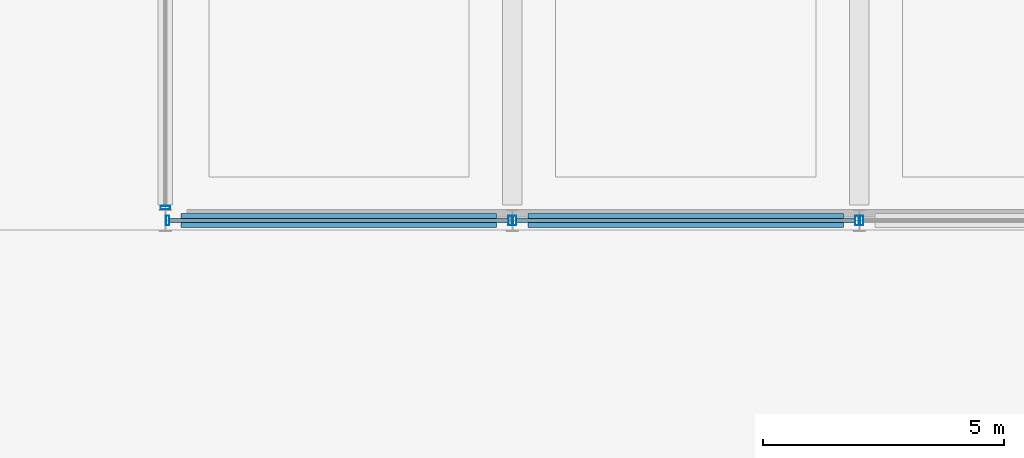
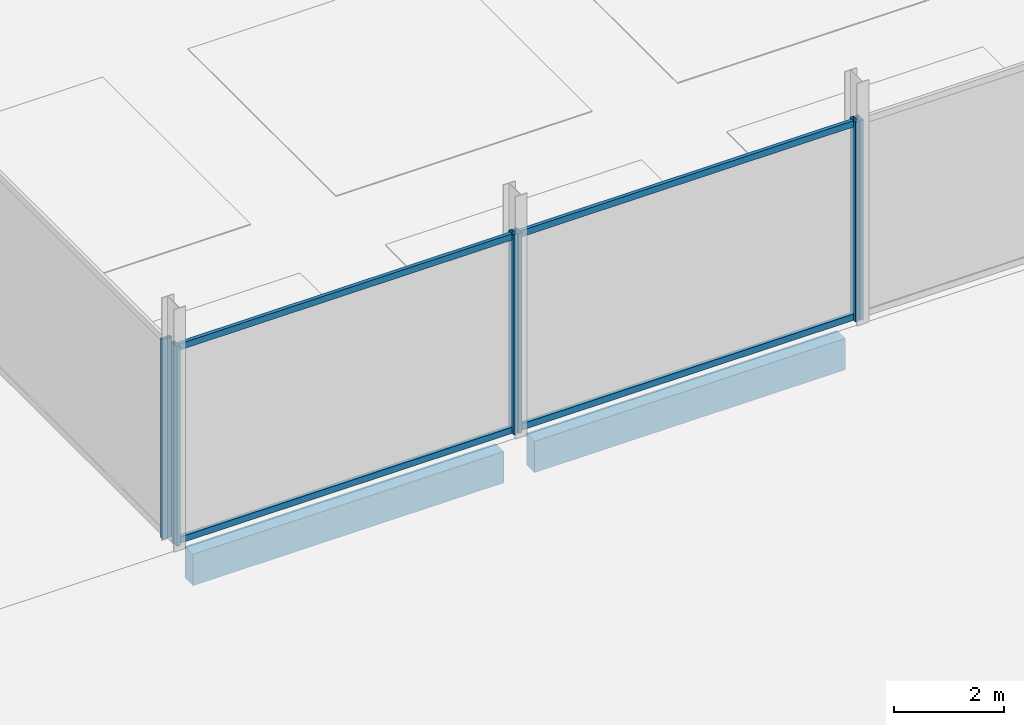
# One storey, part 14 of 90: 10 members, 2 beams, 4 elements without a shape of their own.
"""IFC4 building model written with IfcOpenShell, lengths in metres."""

from ifc_helpers import new_model, si_unit, direction, frame, origin, origin_2d, place, context, subcontext, project, spatial, rectangle, hollow_rectangle, extrude, material, layer, layer_set, material_profile, profile_set, type_object, element, aggregate, save


model = new_model("IFC4")

# Units and contexts
model_context = context("Model", 3, precision=1e-05, world=origin(), true_north=direction((0.0, 1.0)))
body_context = subcontext(model_context, "Body", "Model", "MODEL_VIEW")
ifc_project = project(units=[si_unit("LENGTHUNIT", "METRE"), si_unit("AREAUNIT", "SQUARE_METRE"), si_unit("VOLUMEUNIT", "CUBIC_METRE"), si_unit("PLANEANGLEUNIT", "RADIAN"), si_unit("MASSUNIT", "GRAM", prefix="KILO")], contexts=[model_context])

# Site, building, storey
site_placement = place(None, origin())
site = spatial("IfcSite", under=ifc_project, at=site_placement, CompositionType="ELEMENT")
building_placement = place(site_placement, origin())
building = spatial("IfcBuilding", under=site, at=building_placement, Name="Kangsadwip Square Police Headquarters", CompositionType="ELEMENT")
storey_placement = place(building_placement, origin())
storey = spatial("IfcBuildingStorey", under=building, at=storey_placement, Name="L00", CompositionType="ELEMENT", Elevation=0.0)

# Curtain wall, members
ifc_material_1 = material(Name="Thermally broken anodised aluminium AW-6063-T6", Category="aluminium")
ifc_layer_1 = layer(ifc_material_1, 0.159912109375)
ifc_layer_set_1 = layer_set([ifc_layer_1], Name="Thermally broken anodised aluminium AW-6063-T6")
curtain_wall_type_1 = type_object("IfcCurtainWallType", Name="CourtScreen7180x4450", PredefinedType="USERDEFINED", material=ifc_layer_set_1)
curtain_wall_1_placement = place(storey_placement, origin())
curtain_wall_1 = element("IfcCurtainWall", 1, at=curtain_wall_1_placement, inside=storey, type_object=curtain_wall_type_1, Name="Curtain Wall CW-L00-0432-0864", ObjectType="GLAZED_SCREEN", PredefinedType="USERDEFINED")
ifc_material_2 = material(Name="Thermally broken anodised aluminium AW-6063-T6", Category="aluminium")
ifc_material_profile_1 = material_profile(ifc_material_2, hollow_rectangle(XDim=0.074951171875, YDim=0.199951171875, WallThickness=0.0048828125, at=origin_2d()), Name="CWM 200X75X5")
ifc_profile_set_1 = profile_set([ifc_material_profile_1], Name="Thermally broken anodised aluminium AW-6063-T6")
member_type_1 = type_object("IfcMemberType", Name="CwMullion180x75", PredefinedType="MULLION", material=ifc_profile_set_1)
member_1_placement = place(storey_placement, frame((43.24755859375, 86.39990234375, 0.0), z_axis=(0.0, 0.0, 1.0), x_axis=(1.0, 0.0, 0.0)))
member_1 = element("IfcMember", 2, at=member_1_placement, type_object=member_type_1, Name="CW-02 mullion 1", PredefinedType="MULLION", context=body_context, shape_type="SweptSolid", body=[
    extrude(hollow_rectangle(XDim=0.074951171875, YDim=0.199951171875, WallThickness=0.0048828125, at=origin_2d()), origin(), (0.0, 0.0, 1.0), 4.449951171875),
])
member_2_placement = place(storey_placement, frame((50.3525390625, 86.39990234375, 0.0), z_axis=(0.0, 0.0, 1.0), x_axis=(1.0, 0.0, 0.0)))
member_2 = element("IfcMember", 3, at=member_2_placement, type_object=member_type_1, Name="CW-02 mullion 2", PredefinedType="MULLION", context=body_context, shape_type="SweptSolid", body=[
    extrude(hollow_rectangle(XDim=0.074951171875, YDim=0.199951171875, WallThickness=0.0048828125, at=origin_2d()), origin(), (0.0, 0.0, 1.0), 4.449951171875),
])

curtain_wall_2_placement = place(storey_placement, origin())
curtain_wall_2 = element("IfcCurtainWall", 4, at=curtain_wall_2_placement, inside=storey, type_object=curtain_wall_type_1, Name="Curtain Wall CW-L00-0504-0864", ObjectType="GLAZED_SCREEN", PredefinedType="USERDEFINED")
member_3_placement = place(storey_placement, frame((50.447509765625, 86.39990234375, 0.0), z_axis=(0.0, 0.0, 1.0), x_axis=(1.0, 0.0, 0.0)))
member_3 = element("IfcMember", 5, at=member_3_placement, type_object=member_type_1, Name="CW-02 mullion 1", PredefinedType="MULLION", context=body_context, shape_type="SweptSolid", body=[
    extrude(hollow_rectangle(XDim=0.074951171875, YDim=0.199951171875, WallThickness=0.0048828125, at=origin_2d()), origin(), (0.0, 0.0, 1.0), 4.449951171875),
])
member_4_placement = place(storey_placement, frame((57.552490234375, 86.39990234375, 0.0), z_axis=(0.0, 0.0, 1.0), x_axis=(1.0, 0.0, 0.0)))
member_4 = element("IfcMember", 6, at=member_4_placement, type_object=member_type_1, Name="CW-02 mullion 2", PredefinedType="MULLION", context=body_context, shape_type="SweptSolid", body=[
    extrude(hollow_rectangle(XDim=0.074951171875, YDim=0.199951171875, WallThickness=0.0048828125, at=origin_2d()), origin(), (0.0, 0.0, 1.0), 4.449951171875),
])

# Curtain wall, member
curtain_wall_3_placement = place(storey_placement, origin())
curtain_wall_3 = element("IfcCurtainWall", 7, at=curtain_wall_3_placement, inside=storey, type_object=curtain_wall_type_1, Name="Curtain Wall CW-L00-0576-0864", ObjectType="GLAZED_SCREEN", PredefinedType="USERDEFINED")
member_5_placement = place(storey_placement, frame((57.6474609375, 86.39990234375, 0.0), z_axis=(0.0, 0.0, 1.0), x_axis=(1.0, 0.0, 0.0)))
member_5 = element("IfcMember", 8, at=member_5_placement, type_object=member_type_1, Name="CW-02 mullion 1", PredefinedType="MULLION", context=body_context, shape_type="SweptSolid", body=[
    extrude(hollow_rectangle(XDim=0.074951171875, YDim=0.199951171875, WallThickness=0.0048828125, at=origin_2d()), origin(), (0.0, 0.0, 1.0), 4.449951171875),
])
aggregate(curtain_wall_3, [member_5])

ifc_material_3 = material(Name="Thermally broken anodised aluminium AW-6063-T6", Category="aluminium")
ifc_layer_2 = layer(ifc_material_3, 0.159912109375)
ifc_layer_set_2 = layer_set([ifc_layer_2], Name="Thermally broken anodised aluminium AW-6063-T6")
curtain_wall_type_2 = type_object("IfcCurtainWallType", Name="CourtScreen6744x4450", PredefinedType="USERDEFINED", material=ifc_layer_set_2)
curtain_wall_4_placement = place(storey_placement, origin())
curtain_wall_4 = element("IfcCurtainWall", 9, at=curtain_wall_4_placement, inside=storey, type_object=curtain_wall_type_2, Name="Curtain Wall CW-L00-0432-0866", ObjectType="GLAZED_SCREEN", PredefinedType="USERDEFINED")
member_6_placement = place(storey_placement, frame((43.199951171875, 86.66552734375, 0.0), z_axis=(0.0, 0.0, 1.0), x_axis=(0.0, 1.0, 0.0)))
member_6 = element("IfcMember", 10, at=member_6_placement, type_object=member_type_1, Name="CW-14 mullion 1", PredefinedType="MULLION", context=body_context, shape_type="SweptSolid", body=[
    extrude(hollow_rectangle(XDim=0.074951171875, YDim=0.199951171875, WallThickness=0.0048828125, at=origin_2d()), origin(), (0.0, 0.0, 1.0), 4.449951171875),
])
aggregate(curtain_wall_4, [member_6])

# Member
ifc_material_4 = material(Name="Thermally broken anodised aluminium AW-6063-T6", Category="aluminium")
ifc_material_profile_2 = material_profile(ifc_material_4, hollow_rectangle(XDim=0.074951171875, YDim=0.139892578125, WallThickness=0.0048828125, at=origin_2d()), Name="CWT 140X75X5")
ifc_profile_set_2 = profile_set([ifc_material_profile_2], Name="Thermally broken anodised aluminium AW-6063-T6")
member_type_2 = type_object("IfcMemberType", Name="CwTransom160x65", PredefinedType="USERDEFINED", material=ifc_profile_set_2)
member_7_placement = place(storey_placement, frame((43.284912109375, 86.39990234375, 0.070068359375), z_axis=(1.0, 0.0, 0.0), x_axis=(0.0, 1.0, 0.0)))
member_7 = element("IfcMember", 11, at=member_7_placement, type_object=member_type_2, Name="CW-02 transom 1.1", ObjectType="TRANSOM", PredefinedType="USERDEFINED", context=body_context, shape_type="SweptSolid", body=[
    extrude(hollow_rectangle(XDim=0.074951171875, YDim=0.139892578125, WallThickness=0.0048828125, at=origin_2d()), origin(), (0.0, 0.0, 1.0), 7.030029296875),
])

member_8_placement = place(storey_placement, frame((43.284912109375, 86.39990234375, 4.3798828125), z_axis=(1.0, 0.0, 0.0), x_axis=(0.0, 1.0, 0.0)))
member_8 = element("IfcMember", 12, at=member_8_placement, type_object=member_type_2, Name="CW-02 transom 1.2", ObjectType="TRANSOM", PredefinedType="USERDEFINED", context=body_context, shape_type="SweptSolid", body=[
    extrude(hollow_rectangle(XDim=0.074951171875, YDim=0.139892578125, WallThickness=0.0048828125, at=origin_2d()), origin(), (0.0, 0.0, 1.0), 7.030029296875),
])

aggregate(curtain_wall_1, [member_1, member_2, member_7, member_8])

member_9_placement = place(storey_placement, frame((50.485107421875, 86.39990234375, 0.070068359375), z_axis=(1.0, 0.0, 0.0), x_axis=(0.0, 1.0, 0.0)))
member_9 = element("IfcMember", 13, at=member_9_placement, type_object=member_type_2, Name="CW-02 transom 1.1", ObjectType="TRANSOM", PredefinedType="USERDEFINED", context=body_context, shape_type="SweptSolid", body=[
    extrude(hollow_rectangle(XDim=0.074951171875, YDim=0.139892578125, WallThickness=0.0048828125, at=origin_2d()), origin(), (0.0, 0.0, 1.0), 7.02978515625),
])

member_10_placement = place(storey_placement, frame((50.485107421875, 86.39990234375, 4.3798828125), z_axis=(1.0, 0.0, 0.0), x_axis=(0.0, 1.0, 0.0)))
member_10 = element("IfcMember", 14, at=member_10_placement, type_object=member_type_2, Name="CW-02 transom 1.2", ObjectType="TRANSOM", PredefinedType="USERDEFINED", context=body_context, shape_type="SweptSolid", body=[
    extrude(hollow_rectangle(XDim=0.074951171875, YDim=0.139892578125, WallThickness=0.0048828125, at=origin_2d()), origin(), (0.0, 0.0, 1.0), 7.02978515625),
])

aggregate(curtain_wall_2, [member_3, member_4, member_9, member_10])

# Beams
ifc_material_5 = material(Name="Concrete M40 (40 MPa)", Category="concrete")
ifc_material_profile_3 = material_profile(ifc_material_5, rectangle(XDim=0.300048828125, YDim=0.699951171875, at=origin_2d()), Name="RC SPN 700X300")
ifc_profile_set_3 = profile_set([ifc_material_profile_3], Name="Concrete M40 (40 MPa)")
beam_type = type_object("IfcBeamType", Name="RcSpandrel700x300", PredefinedType="SPANDREL", material=ifc_profile_set_3)
beam_1_placement = place(storey_placement, frame((43.52490234375, 86.39990234375, -0.60009765625), z_axis=(1.0, 0.0, 0.0), x_axis=(0.0, 1.0, 0.0)))
element("IfcBeam", 15, at=beam_1_placement, inside=storey, type_object=beam_type, Name="Beam BM-L00-X-06-12", PredefinedType="SPANDREL", context=body_context, shape_type="SweptSolid", body=[
    extrude(rectangle(XDim=0.300048828125, YDim=0.699951171875, at=origin_2d()), origin(), (0.0, 0.0, 1.0), 6.550048828125),
])
beam_2_placement = place(storey_placement, frame((50.72509765625, 86.39990234375, -0.60009765625), z_axis=(1.0, 0.0, 0.0), x_axis=(0.0, 1.0, 0.0)))
element("IfcBeam", 16, at=beam_2_placement, inside=storey, type_object=beam_type, Name="Beam BM-L00-X-07-12", PredefinedType="SPANDREL", context=body_context, shape_type="SweptSolid", body=[
    extrude(rectangle(XDim=0.300048828125, YDim=0.699951171875, at=origin_2d()), origin(), (0.0, 0.0, 1.0), 6.5498046875),
])

save(model, "model.ifc")
